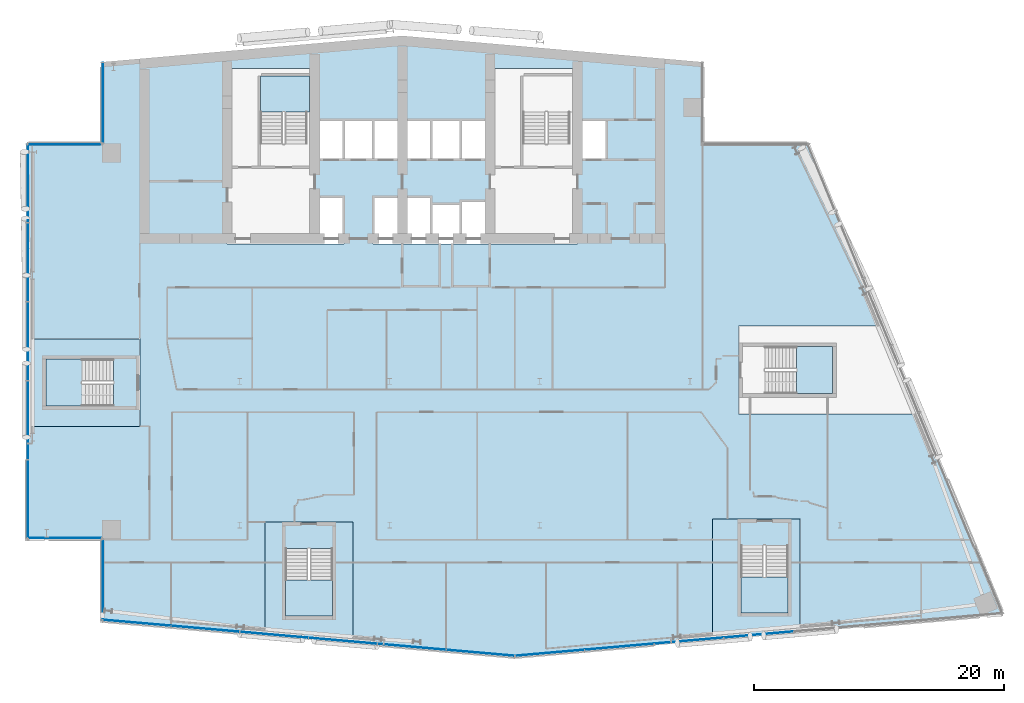
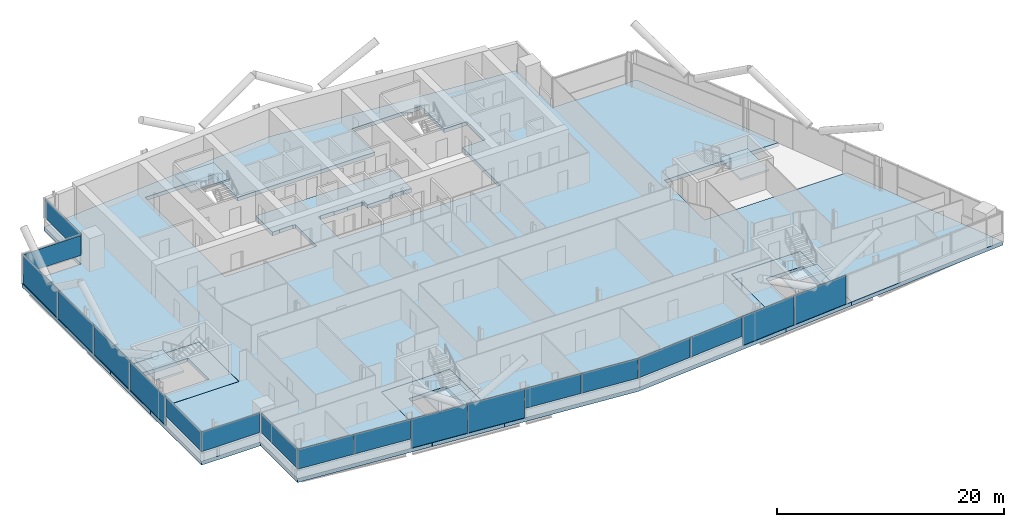
# One storey, part 12 of 27: 19 plates, 9 slabs, 12 elements without a shape of their own.
"""IFC4 building model written with IfcOpenShell, lengths in metres."""

from ifc_helpers import new_model, si_unit, direction, frame, origin, origin_2d, place, context, subcontext, project, spatial, polyline, rectangle, outline, extrude, material, layer, layer_set, type_object, element, aggregate, save


model = new_model("IFC4")

# Units and contexts
model_context = context("Model", 3, precision=1e-05, world=origin(), true_north=direction((0.0, 1.0)))
body_context = subcontext(model_context, "Body", "Model", "MODEL_VIEW")
ifc_project = project(units=[si_unit("LENGTHUNIT", "METRE"), si_unit("AREAUNIT", "SQUARE_METRE"), si_unit("VOLUMEUNIT", "CUBIC_METRE"), si_unit("PLANEANGLEUNIT", "RADIAN"), si_unit("MASSUNIT", "GRAM", prefix="KILO")], contexts=[model_context])

# Site, building, storey
site_placement = place(None, origin())
site = spatial("IfcSite", under=ifc_project, at=site_placement, CompositionType="ELEMENT")
building_placement = place(site_placement, origin())
building = spatial("IfcBuilding", under=site, at=building_placement, Name="Wharfspan Tower", CompositionType="ELEMENT")
storey_placement = place(building_placement, frame((0.0, 0.0, 195.100098)))
storey = spatial("IfcBuildingStorey", under=building, at=storey_placement, Name="L48", CompositionType="ELEMENT", Elevation=195.100098)

# Curtain wall, plates
ifc_material_1 = material(Name="Aluminium 6063-T6", Category="aluminium")
curtain_wall_type_1 = type_object("IfcCurtainWallType", Name="CURTAIN WALL FACETED FRONT", PredefinedType="NOTDEFINED", material=ifc_material_1)
curtain_wall_1_placement = place(storey_placement, origin())
curtain_wall_1 = element("IfcCurtainWall", 1, at=curtain_wall_1_placement, inside=storey, type_object=curtain_wall_type_1, Name="Curtain wall S1", PredefinedType="NOTDEFINED")
ifc_material_2 = material(Name="Glass clear low-iron double glazing", Category="glass")
ifc_layer_1 = layer(ifc_material_2, 0.040039)
ifc_layer_set_1 = layer_set([ifc_layer_1], Name="Glass clear low-iron double glazing")
plate_type_1 = type_object("IfcPlateType", Name="GLASS PANEL FACETED FRONT 40", PredefinedType="CURTAIN_PANEL", material=ifc_layer_set_1)
plate_1_placement = place(storey_placement, frame((15.770264, 3.692871, 0.999756), z_axis=(0.0, 0.0, 1.0), x_axis=(0.996198, -0.087156, 0.0)))
plate_1 = element("IfcPlate", 2, at=plate_1_placement, type_object=plate_type_1, Name="Curtain wall S1 panel 1", PredefinedType="CURTAIN_PANEL", context=body_context, shape_type="SweptSolid", body=[
    extrude(rectangle(XDim=5.430908, YDim=0.040039, at=origin_2d()), origin(), (0.0, 0.0, 1.0), 2.120117),
])
plate_2_placement = place(storey_placement, frame((21.255127, 3.213135, 0.999756), z_axis=(0.0, 0.0, 1.0), x_axis=(0.996198, -0.087156, 0.0)))
plate_2 = element("IfcPlate", 3, at=plate_2_placement, type_object=plate_type_1, Name="Curtain wall S1 panel 2", PredefinedType="CURTAIN_PANEL", context=body_context, shape_type="SweptSolid", body=[
    extrude(rectangle(XDim=5.460938, YDim=0.040039, at=origin_2d()), origin(), (0.0, 0.0, 1.0), 2.120117),
])
plate_3_placement = place(storey_placement, frame((37.755127, 1.769531, 0.999756), z_axis=(0.0, 0.0, 1.0), x_axis=(0.996198, -0.087156, 0.0)))
plate_3 = element("IfcPlate", 4, at=plate_3_placement, type_object=plate_type_1, Name="Curtain wall S1 panel 5", PredefinedType="CURTAIN_PANEL", context=body_context, shape_type="SweptSolid", body=[
    extrude(rectangle(XDim=5.460938, YDim=0.040039, at=origin_2d()), origin(), (0.0, 0.0, 1.0), 2.120117),
])
plate_4_placement = place(storey_placement, frame((43.240234, 1.289551, 0.999756), z_axis=(0.0, 0.0, 1.0), x_axis=(0.996198, -0.087156, 0.0)))
plate_4 = element("IfcPlate", 5, at=plate_4_placement, type_object=plate_type_1, Name="Curtain wall S1 panel 6", PredefinedType="CURTAIN_PANEL", context=body_context, shape_type="SweptSolid", body=[
    extrude(rectangle(XDim=5.430908, YDim=0.040039, at=origin_2d()), origin(), (0.0, 0.0, 1.0), 2.120117),
])

curtain_wall_2_placement = place(storey_placement, origin())
curtain_wall_2 = element("IfcCurtainWall", 6, at=curtain_wall_2_placement, inside=storey, type_object=curtain_wall_type_1, Name="Curtain wall S2", PredefinedType="NOTDEFINED")
plate_5_placement = place(storey_placement, frame((48.79541, 1.292725, 0.999756), z_axis=(0.0, 0.0, 1.0), x_axis=(0.996198, 0.087156, 0.0)))
plate_5 = element("IfcPlate", 7, at=plate_5_placement, type_object=plate_type_1, Name="Curtain wall S2 panel 1", PredefinedType="CURTAIN_PANEL", context=body_context, shape_type="SweptSolid", body=[
    extrude(rectangle(XDim=5.502686, YDim=0.040039, at=origin_2d()), origin(), (0.0, 0.0, 1.0), 2.120117),
])
plate_6_placement = place(storey_placement, frame((54.351807, 1.778809, 0.999756), z_axis=(0.0, 0.0, 1.0), x_axis=(0.996198, 0.087156, 0.0)))
plate_6 = element("IfcPlate", 8, at=plate_6_placement, type_object=plate_type_1, Name="Curtain wall S2 panel 2", PredefinedType="CURTAIN_PANEL", context=body_context, shape_type="SweptSolid", body=[
    extrude(rectangle(XDim=5.532715, YDim=0.040039, at=origin_2d()), origin(), (0.0, 0.0, 1.0), 2.120117),
])

# Curtain wall, plate
curtain_wall_type_2 = type_object("IfcCurtainWallType", Name="CURTAIN WALL PROW AND END", PredefinedType="NOTDEFINED", material=ifc_material_1)
curtain_wall_3_placement = place(storey_placement, origin())
curtain_wall_3 = element("IfcCurtainWall", 9, at=curtain_wall_3_placement, inside=storey, type_object=curtain_wall_type_2, Name="Curtain wall NRW-V", PredefinedType="NOTDEFINED")
ifc_layer_2 = layer(ifc_material_2, 0.040039)
ifc_layer_set_2 = layer_set([ifc_layer_2], Name="Glass clear low-iron double glazing")
plate_type_2 = type_object("IfcPlateType", Name="GLASS PANEL PROW AND END 40", PredefinedType="CURTAIN_PANEL", material=ifc_layer_set_2)
plate_7_placement = place(storey_placement, frame((13.080078, 45.262451, 0.999756), z_axis=(0.0, 0.0, 1.0), x_axis=(0.0, -1.0, 0.0)))
plate_7 = element("IfcPlate", 10, at=plate_7_placement, type_object=plate_type_2, Name="Curtain wall NRW-V panel 1", PredefinedType="CURTAIN_PANEL", context=body_context, shape_type="SweptSolid", body=[
    extrude(rectangle(XDim=6.405029, YDim=0.040039, at=origin_2d()), origin(), (0.0, 0.0, 1.0), 2.120117),
])
aggregate(curtain_wall_3, [plate_7])

curtain_wall_4_placement = place(storey_placement, origin())
curtain_wall_4 = element("IfcCurtainWall", 11, at=curtain_wall_4_placement, inside=storey, type_object=curtain_wall_type_2, Name="Curtain wall NRW-H", PredefinedType="NOTDEFINED")
plate_8_placement = place(storey_placement, frame((10.0, 41.919922, 0.999756), z_axis=(0.0, 0.0, 1.0), x_axis=(-1.0, 0.0, 0.0)))
plate_8 = element("IfcPlate", 12, at=plate_8_placement, type_object=plate_type_2, Name="Curtain wall NRW-H panel 1", PredefinedType="CURTAIN_PANEL", context=body_context, shape_type="SweptSolid", body=[
    extrude(rectangle(XDim=5.879883, YDim=0.040039, at=origin_2d()), origin(), (0.0, 0.0, 1.0), 2.120117),
])
aggregate(curtain_wall_4, [plate_8])

curtain_wall_5_placement = place(storey_placement, origin())
curtain_wall_5 = element("IfcCurtainWall", 13, at=curtain_wall_5_placement, inside=storey, type_object=curtain_wall_type_2, Name="Curtain wall W", PredefinedType="NOTDEFINED")
plate_9_placement = place(storey_placement, frame((7.080078, 13.574951, 0.999756), z_axis=(0.0, 0.0, 1.0), x_axis=(0.0, -1.0, 0.0)))
plate_9 = element("IfcPlate", 14, at=plate_9_placement, type_object=plate_type_2, Name="Curtain wall W panel 5", PredefinedType="CURTAIN_PANEL", context=body_context, shape_type="SweptSolid", body=[
    extrude(rectangle(XDim=6.22998, YDim=0.040039, at=origin_2d()), origin(), (0.0, 0.0, 1.0), 2.120117),
])

curtain_wall_6_placement = place(storey_placement, origin())
curtain_wall_6 = element("IfcCurtainWall", 15, at=curtain_wall_6_placement, inside=storey, type_object=curtain_wall_type_2, Name="Curtain wall NFW-H", PredefinedType="NOTDEFINED")
plate_10_placement = place(storey_placement, frame((10.0, 10.47998, 0.999756), z_axis=(0.0, 0.0, 1.0), x_axis=(1.0, 0.0, 0.0)))
plate_10 = element("IfcPlate", 16, at=plate_10_placement, type_object=plate_type_2, Name="Curtain wall NFW-H panel 1", PredefinedType="CURTAIN_PANEL", context=body_context, shape_type="SweptSolid", body=[
    extrude(rectangle(XDim=5.879883, YDim=0.040039, at=origin_2d()), origin(), (0.0, 0.0, 1.0), 2.120117),
])
aggregate(curtain_wall_6, [plate_10])

curtain_wall_7_placement = place(storey_placement, origin())
curtain_wall_7 = element("IfcCurtainWall", 17, at=curtain_wall_7_placement, inside=storey, type_object=curtain_wall_type_2, Name="Curtain wall NFW-V", PredefinedType="NOTDEFINED")
plate_11_placement = place(storey_placement, frame((13.080078, 7.137451, 0.999756), z_axis=(0.0, 0.0, 1.0), x_axis=(0.0, -1.0, 0.0)))
plate_11 = element("IfcPlate", 18, at=plate_11_placement, type_object=plate_type_2, Name="Curtain wall NFW-V panel 1", PredefinedType="CURTAIN_PANEL", context=body_context, shape_type="SweptSolid", body=[
    extrude(rectangle(XDim=6.405029, YDim=0.040039, at=origin_2d()), origin(), (0.0, 0.0, 1.0), 2.120117),
])
aggregate(curtain_wall_7, [plate_11])

# Plate
ifc_material_3 = material(Name="Aluminium composite opaque insulated panel", Category="aluminium")
ifc_layer_3 = layer(ifc_material_3, 0.040039)
ifc_layer_set_3 = layer_set([ifc_layer_3], Name="Aluminium composite opaque insulated panel")
plate_type_3 = type_object("IfcPlateType", Name="INFILL PANEL FACETED FRONT OPAQUE 40", PredefinedType="SHEET", material=ifc_layer_set_3)
plate_12_placement = place(storey_placement, frame((26.755127, 2.731934, -0.000244), z_axis=(0.0, 0.0, 1.0), x_axis=(0.996198, -0.087156, 0.0)))
plate_12 = element("IfcPlate", 19, at=plate_12_placement, type_object=plate_type_3, Name="Curtain wall S1 panel 3", PredefinedType="SHEET", context=body_context, shape_type="SweptSolid", body=[
    extrude(rectangle(XDim=5.460938, YDim=0.040039, at=origin_2d()), origin(), (0.0, 0.0, 1.0), 3.120117),
])

plate_13_placement = place(storey_placement, frame((32.255127, 2.250732, -0.000244), z_axis=(0.0, 0.0, 1.0), x_axis=(0.996198, -0.087156, 0.0)))
plate_13 = element("IfcPlate", 20, at=plate_13_placement, type_object=plate_type_3, Name="Curtain wall S1 panel 4", PredefinedType="SHEET", context=body_context, shape_type="SweptSolid", body=[
    extrude(rectangle(XDim=5.460938, YDim=0.040039, at=origin_2d()), origin(), (0.0, 0.0, 1.0), 3.120117),
])

aggregate(curtain_wall_1, [plate_1, plate_2, plate_12, plate_13, plate_3, plate_4])

plate_14_placement = place(storey_placement, frame((59.92334, 2.266357, -0.000244), z_axis=(0.0, 0.0, 1.0), x_axis=(0.996198, 0.087156, 0.0)))
plate_14 = element("IfcPlate", 21, at=plate_14_placement, type_object=plate_type_3, Name="Curtain wall S2 panel 3", PredefinedType="SHEET", context=body_context, shape_type="SweptSolid", body=[
    extrude(rectangle(XDim=5.532715, YDim=0.040039, at=origin_2d()), origin(), (0.0, 0.0, 1.0), 3.120117),
])

plate_15_placement = place(storey_placement, frame((65.494873, 2.753662, -0.000244), z_axis=(0.0, 0.0, 1.0), x_axis=(0.996198, 0.087156, 0.0)))
plate_15 = element("IfcPlate", 22, at=plate_15_placement, type_object=plate_type_3, Name="Curtain wall S2 panel 4", PredefinedType="SHEET", context=body_context, shape_type="SweptSolid", body=[
    extrude(rectangle(XDim=5.532715, YDim=0.040039, at=origin_2d()), origin(), (0.0, 0.0, 1.0), 3.120117),
])

aggregate(curtain_wall_2, [plate_5, plate_6, plate_14, plate_15])

ifc_layer_4 = layer(ifc_material_3, 0.040039)
ifc_layer_set_4 = layer_set([ifc_layer_4], Name="Aluminium composite opaque insulated panel")
plate_type_4 = type_object("IfcPlateType", Name="INFILL PANEL PROW AND END OPAQUE 40", PredefinedType="SHEET", material=ifc_layer_set_4)
plate_16_placement = place(storey_placement, frame((7.080078, 38.824951, -0.000244), z_axis=(0.0, 0.0, 1.0), x_axis=(0.0, -1.0, 0.0)))
plate_16 = element("IfcPlate", 23, at=plate_16_placement, type_object=plate_type_4, Name="Curtain wall W panel 1", PredefinedType="SHEET", context=body_context, shape_type="SweptSolid", body=[
    extrude(rectangle(XDim=6.22998, YDim=0.040039, at=origin_2d()), origin(), (0.0, 0.0, 1.0), 3.120117),
])

plate_17_placement = place(storey_placement, frame((7.080078, 32.52002, -0.000244), z_axis=(0.0, 0.0, 1.0), x_axis=(0.0, -1.0, 0.0)))
plate_17 = element("IfcPlate", 24, at=plate_17_placement, type_object=plate_type_4, Name="Curtain wall W panel 2", PredefinedType="SHEET", context=body_context, shape_type="SweptSolid", body=[
    extrude(rectangle(XDim=6.26001, YDim=0.040039, at=origin_2d()), origin(), (0.0, 0.0, 1.0), 3.120117),
])

plate_18_placement = place(storey_placement, frame((7.080078, 26.199951, -0.000244), z_axis=(0.0, 0.0, 1.0), x_axis=(0.0, -1.0, 0.0)))
plate_18 = element("IfcPlate", 25, at=plate_18_placement, type_object=plate_type_4, Name="Curtain wall W panel 3", PredefinedType="SHEET", context=body_context, shape_type="SweptSolid", body=[
    extrude(rectangle(XDim=6.26001, YDim=0.040039, at=origin_2d()), origin(), (0.0, 0.0, 1.0), 3.120117),
])

plate_19_placement = place(storey_placement, frame((7.080078, 19.879883, -0.000244), z_axis=(0.0, 0.0, 1.0), x_axis=(0.0, -1.0, 0.0)))
plate_19 = element("IfcPlate", 26, at=plate_19_placement, type_object=plate_type_4, Name="Curtain wall W panel 4", PredefinedType="SHEET", context=body_context, shape_type="SweptSolid", body=[
    extrude(rectangle(XDim=6.26001, YDim=0.040039, at=origin_2d()), origin(), (0.0, 0.0, 1.0), 3.120117),
])

aggregate(curtain_wall_5, [plate_16, plate_17, plate_18, plate_19, plate_9])

# Slabs
ifc_material_4 = material(Name="Concrete C40/50", Category="concrete")
ifc_layer_5 = layer(ifc_material_4, 0.399902)
ifc_layer_set_5 = layer_set([ifc_layer_5], Name="Concrete C40/50")
slab_type_1 = type_object("IfcSlabType", Name="Post-tensioned flat slab 400", PredefinedType="FLOOR", material=ifc_layer_set_5)
slab_1_placement = place(storey_placement, frame((0.0, 0.0, -0.400146)))
element("IfcSlab", 27, at=slab_1_placement, inside=storey, type_object=slab_type_1, Name="Floor slab L48", PredefinedType="FLOOR", context=body_context, shape_type="SweptSolid", body=[
    extrude(outline(polyline([(26.029297, 2.735107), (26.029297, 11.744385), (33.049316, 11.744385), (33.049316, 2.121094), (46.0, 0.987793), (61.801514, 2.370361), (61.801514, 11.993652), (68.821289, 11.993652), (68.821289, 2.984619), (85.0, 4.399902), (78.398682, 20.389893), (63.894531, 20.389893), (63.894531, 27.409912), (75.500488, 27.409912), (69.477051, 42.0), (61.0, 42.0), (61.0, 48.524902), (37.0, 50.624756), (13.0, 48.524902), (13.0, 42.0), (7.0, 42.0), (7.0, 26.409912), (16.01001, 26.409912), (16.01001, 19.389893), (7.0, 19.389893), (7.0, 10.399902), (13.0, 10.399902), (13.0, 3.875), (26.029297, 2.735107)]), holes=[polyline([(32.126709, 37.76001), (32.343262, 37.76001), (32.343262, 33.98999), (22.98999, 33.98999), (22.98999, 48.01001), (30.01001, 48.01001), (30.01001, 43.909912), (43.98999, 43.909912), (43.98999, 48.01001), (51.01001, 48.01001), (51.01001, 43.909912), (53.343262, 43.909912), (53.343262, 40.689941), (51.01001, 40.689941), (51.01001, 33.98999), (34.656738, 33.98999), (34.656738, 37.76001), (34.873291, 37.76001), (34.873291, 37.810059), (36.293213, 37.810059), (36.293213, 37.76001), (37.666748, 37.76001), (37.666748, 37.810059), (39.166748, 37.810059), (39.166748, 37.76001), (39.343262, 37.76001), (39.343262, 37.209961), (41.656738, 37.209961), (41.656738, 37.459961), (42.023193, 37.459961), (42.023193, 37.51001), (43.143311, 37.51001), (43.143311, 37.459961), (43.98999, 37.459961), (43.98999, 40.689941), (30.01001, 40.689941), (30.01001, 37.76001), (30.706787, 37.76001), (30.706787, 37.810059), (32.126709, 37.810059), (32.126709, 37.76001)])]), origin(), (0.0, 0.0, 1.0), 0.400146),
])
slab_2_placement = place(storey_placement, frame((0.0, 0.0, -0.400146)))
element("IfcSlab", 28, at=slab_2_placement, inside=storey, type_object=slab_type_1, Name="Core floor slab L48 part 1", PredefinedType="FLOOR", context=body_context, shape_type="SweptSolid", body=[
    extrude(outline(polyline([(16.0, 20.725098), (16.0, 25.074951), (16.0, 26.399902), (7.0, 26.399902), (7.0, 19.399902), (16.0, 19.399902), (16.0, 20.725098)]), holes=[polyline([(13.899902, 24.7771), (13.900146, 24.7771), (13.900391, 24.7771), (13.900635, 24.776855), (13.900879, 24.776855), (13.900879, 24.776855), (13.901123, 24.776611), (13.901367, 24.776611), (13.901367, 24.776367), (13.901611, 24.776367), (13.901611, 24.776123), (13.901855, 24.775879), (13.901855, 24.775879), (13.901855, 24.775635), (13.9021, 24.775391), (13.9021, 24.775146), (13.9021, 24.774902), (13.9021, 21.024902), (13.9021, 21.024902), (13.9021, 21.024658), (13.901855, 21.024414), (13.901855, 21.02417), (13.901855, 21.02417), (13.901611, 21.023926), (13.901611, 21.023682), (13.901367, 21.023682), (13.901367, 21.023438), (13.901123, 21.023193), (13.900879, 21.023193), (13.900879, 21.023193), (13.900635, 21.023193), (13.900391, 21.022949), (13.900146, 21.022949), (13.899902, 21.022949), (8.5, 21.022949), (8.499756, 21.022949), (8.499512, 21.022949), (8.499512, 21.023193), (8.499268, 21.023193), (8.499023, 21.023193), (8.498779, 21.023193), (8.498779, 21.023438), (8.498535, 21.023682), (8.498535, 21.023682), (8.498291, 21.023926), (8.498291, 21.02417), (8.498291, 21.02417), (8.498047, 21.024414), (8.498047, 21.024658), (8.498047, 21.024902), (8.498047, 21.024902), (8.498047, 24.774902), (8.498047, 24.775146), (8.498047, 24.775391), (8.498047, 24.775635), (8.498291, 24.775879), (8.498291, 24.775879), (8.498291, 24.776123), (8.498535, 24.776367), (8.498535, 24.776367), (8.498779, 24.776611), (8.498779, 24.776611), (8.499023, 24.776855), (8.499268, 24.776855), (8.499512, 24.776855), (8.499512, 24.7771), (8.499756, 24.7771), (8.5, 24.7771), (13.899902, 24.7771)])]), origin(), (0.0, 0.0, 1.0), 0.400146),
])
slab_3_placement = place(storey_placement, frame((0.0, 0.0, -0.400146)))
element("IfcSlab", 29, at=slab_3_placement, inside=storey, type_object=slab_type_1, Name="Core floor slab L48 part 2", PredefinedType="FLOOR", context=body_context, shape_type="SweptSolid", body=[
    extrude(outline(polyline([(31.714111, 11.734375), (27.364258, 11.734375), (26.039307, 11.734375), (26.039307, 2.734375), (33.039307, 2.121826), (33.039307, 11.734375), (31.714111, 11.734375)]), holes=[polyline([(27.662109, 9.634277), (27.662109, 9.634521), (27.662354, 9.634766), (27.662354, 9.63501), (27.662354, 9.63501), (27.662598, 9.635254), (27.662598, 9.635498), (27.662598, 9.635498), (27.662842, 9.635742), (27.663086, 9.635742), (27.663086, 9.635986), (27.66333, 9.635986), (27.663574, 9.635986), (27.663574, 9.63623), (27.663818, 9.63623), (27.664062, 9.63623), (27.664307, 9.63623), (31.414307, 9.63623), (31.414307, 9.63623), (31.414551, 9.63623), (31.414795, 9.63623), (31.415039, 9.635986), (31.415283, 9.635986), (31.415283, 9.635986), (31.415527, 9.635742), (31.415527, 9.635742), (31.415771, 9.635498), (31.416016, 9.635498), (31.416016, 9.635254), (31.416016, 9.63501), (31.416016, 9.63501), (31.41626, 9.634766), (31.41626, 9.634521), (31.41626, 9.634277), (31.41626, 4.234375), (31.41626, 4.234131), (31.41626, 4.233887), (31.416016, 4.233643), (31.416016, 4.233398), (31.416016, 4.233398), (31.416016, 4.233154), (31.415771, 4.23291), (31.415527, 4.23291), (31.415527, 4.232666), (31.415283, 4.232666), (31.415283, 4.232422), (31.415039, 4.232422), (31.414795, 4.232422), (31.414551, 4.232422), (31.414307, 4.232422), (31.414307, 4.232422), (27.664307, 4.232422), (27.664062, 4.232422), (27.663818, 4.232422), (27.663574, 4.232422), (27.663574, 4.232422), (27.66333, 4.232422), (27.663086, 4.232666), (27.663086, 4.232666), (27.662842, 4.23291), (27.662598, 4.23291), (27.662598, 4.233154), (27.662598, 4.233398), (27.662354, 4.233398), (27.662354, 4.233643), (27.662354, 4.233887), (27.662109, 4.234131), (27.662109, 4.234375), (27.662109, 9.634277)])]), origin(), (0.0, 0.0, 1.0), 0.400146),
])
slab_4_placement = place(storey_placement, frame((0.0, 0.0, -0.400146)))
element("IfcSlab", 30, at=slab_4_placement, inside=storey, type_object=slab_type_1, Name="Core floor slab L48 part 4", PredefinedType="FLOOR", context=body_context, shape_type="SweptSolid", body=[
    extrude(outline(polyline([(68.811279, 11.983643), (68.136475, 11.983643), (63.786377, 11.983643), (61.811279, 11.983643), (61.811279, 2.371338), (68.811279, 2.983643), (68.811279, 11.983643)]), holes=[polyline([(64.084473, 9.883789), (64.084473, 9.883789), (64.084473, 9.884033), (64.084473, 9.884277), (64.084473, 9.884521), (64.084717, 9.884521), (64.084717, 9.884766), (64.084717, 9.88501), (64.084961, 9.88501), (64.085205, 9.885254), (64.085205, 9.885254), (64.085449, 9.885498), (64.085693, 9.885498), (64.085693, 9.885498), (64.085938, 9.885498), (64.086182, 9.885742), (64.086426, 9.885742), (67.836426, 9.885742), (67.836426, 9.885742), (67.83667, 9.885498), (67.836914, 9.885498), (67.837158, 9.885498), (67.837402, 9.885498), (67.837402, 9.885254), (67.837646, 9.885254), (67.837891, 9.88501), (67.837891, 9.88501), (67.837891, 9.884766), (67.838135, 9.884521), (67.838135, 9.884521), (67.838379, 9.884277), (67.838379, 9.884033), (67.838379, 9.883789), (67.838379, 9.883789), (67.838379, 4.483643), (67.838379, 4.483398), (67.838379, 4.483398), (67.838379, 4.483154), (67.838135, 4.48291), (67.838135, 4.482666), (67.837891, 4.482666), (67.837891, 4.482422), (67.837891, 4.482422), (67.837646, 4.482178), (67.837402, 4.481934), (67.837402, 4.481934), (67.837158, 4.481689), (67.836914, 4.481689), (67.83667, 4.481689), (67.836426, 4.481689), (67.836426, 4.481689), (64.086426, 4.481689), (64.086182, 4.481689), (64.085938, 4.481689), (64.085693, 4.481689), (64.085693, 4.481689), (64.085449, 4.481934), (64.085205, 4.481934), (64.085205, 4.482178), (64.084961, 4.482422), (64.084717, 4.482422), (64.084717, 4.482666), (64.084717, 4.482666), (64.084473, 4.48291), (64.084473, 4.483154), (64.084473, 4.483398), (64.084473, 4.483398), (64.084473, 4.483643), (64.084473, 9.883789)])]), origin(), (0.0, 0.0, 1.0), 0.400146),
])

# Stair, slab
stair_type = type_object("IfcStairType", Name="Half-turn stair 20 risers 180 mm", PredefinedType="HALF_TURN_STAIR", material=ifc_material_4)
stair_1_placement = place(storey_placement, origin())
stair_1 = element("IfcStair", 31, at=stair_1_placement, inside=storey, type_object=stair_type, Name="L48 stair ST1", PredefinedType="HALF_TURN_STAIR")
ifc_layer_6 = layer(ifc_material_4, 0.199951)
ifc_layer_set_6 = layer_set([ifc_layer_6], Name="Concrete C40/50")
slab_type_2 = type_object("IfcSlabType", Name="Stair landing 200", PredefinedType="LANDING", material=ifc_layer_set_6)
slab_5_placement = place(storey_placement, frame((0.0, 0.0, 1.599609)))
slab_5 = element("IfcSlab", 32, at=slab_5_placement, type_object=slab_type_2, Name="ST1 landing 1", PredefinedType="LANDING", context=body_context, shape_type="SweptSolid", body=[
    extrude(outline(polyline([(25.649902, 44.52002), (29.600098, 44.52002), (29.600098, 47.399902), (25.649902, 47.399902), (25.649902, 44.52002)])), origin(), (0.0, 0.0, 1.0), 0.200195),
])
aggregate(stair_1, [slab_5])

stair_2_placement = place(storey_placement, origin())
stair_2 = element("IfcStair", 33, at=stair_2_placement, inside=storey, type_object=stair_type, Name="L48 stair ST3", PredefinedType="HALF_TURN_STAIR")
slab_6_placement = place(storey_placement, frame((0.0, 0.0, 1.599609)))
slab_6 = element("IfcSlab", 34, at=slab_6_placement, type_object=slab_type_2, Name="ST3 landing 1", PredefinedType="LANDING", context=body_context, shape_type="SweptSolid", body=[
    extrude(outline(polyline([(11.379883, 24.774902), (8.5, 24.774902), (8.5, 21.024902), (11.379883, 21.024902), (11.379883, 24.774902)])), origin(), (0.0, 0.0, 1.0), 0.200195),
])
aggregate(stair_2, [slab_6])

stair_3_placement = place(storey_placement, origin())
stair_3 = element("IfcStair", 35, at=stair_3_placement, inside=storey, type_object=stair_type, Name="L48 stair ST4", PredefinedType="HALF_TURN_STAIR")
slab_7_placement = place(storey_placement, frame((0.0, 0.0, 1.599609)))
slab_7 = element("IfcSlab", 36, at=slab_7_placement, type_object=slab_type_2, Name="ST4 landing 1", PredefinedType="LANDING", context=body_context, shape_type="SweptSolid", body=[
    extrude(outline(polyline([(27.664307, 7.114258), (27.664307, 4.234375), (31.414307, 4.234375), (31.414307, 7.114258), (27.664307, 7.114258)])), origin(), (0.0, 0.0, 1.0), 0.200195),
])
aggregate(stair_3, [slab_7])

stair_4_placement = place(storey_placement, origin())
stair_4 = element("IfcStair", 37, at=stair_4_placement, inside=storey, type_object=stair_type, Name="L48 stair ST5", PredefinedType="HALF_TURN_STAIR")
slab_8_placement = place(storey_placement, frame((0.0, 0.0, 1.599609)))
slab_8 = element("IfcSlab", 38, at=slab_8_placement, type_object=slab_type_2, Name="ST5 landing 1", PredefinedType="LANDING", context=body_context, shape_type="SweptSolid", body=[
    extrude(outline(polyline([(64.086426, 7.36377), (64.086426, 4.483643), (67.836426, 4.483643), (67.836426, 7.36377), (64.086426, 7.36377)])), origin(), (0.0, 0.0, 1.0), 0.200195),
])
aggregate(stair_4, [slab_8])

stair_5_placement = place(storey_placement, origin())
stair_5 = element("IfcStair", 39, at=stair_5_placement, inside=storey, type_object=stair_type, Name="L48 stair ST6", PredefinedType="HALF_TURN_STAIR")
slab_9_placement = place(storey_placement, frame((0.0, 0.0, 1.599609)))
slab_9 = element("IfcSlab", 40, at=slab_9_placement, type_object=slab_type_2, Name="ST6 landing 1", PredefinedType="LANDING", context=body_context, shape_type="SweptSolid", body=[
    extrude(outline(polyline([(68.524658, 22.024902), (71.404541, 22.024902), (71.404541, 25.774902), (68.524658, 25.774902), (68.524658, 22.024902)])), origin(), (0.0, 0.0, 1.0), 0.200195),
])
aggregate(stair_5, [slab_9])

save(model, "model.ifc")
